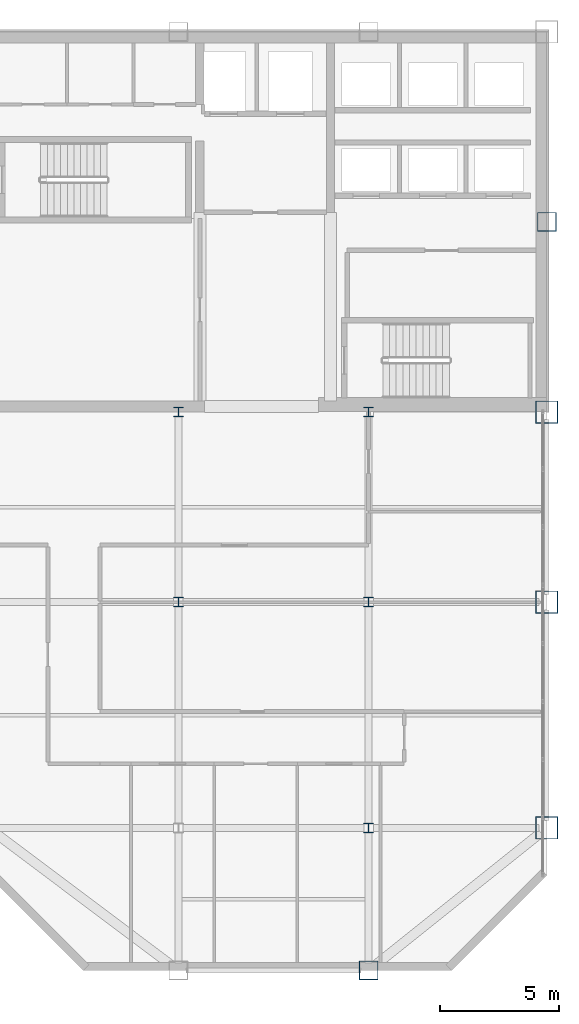
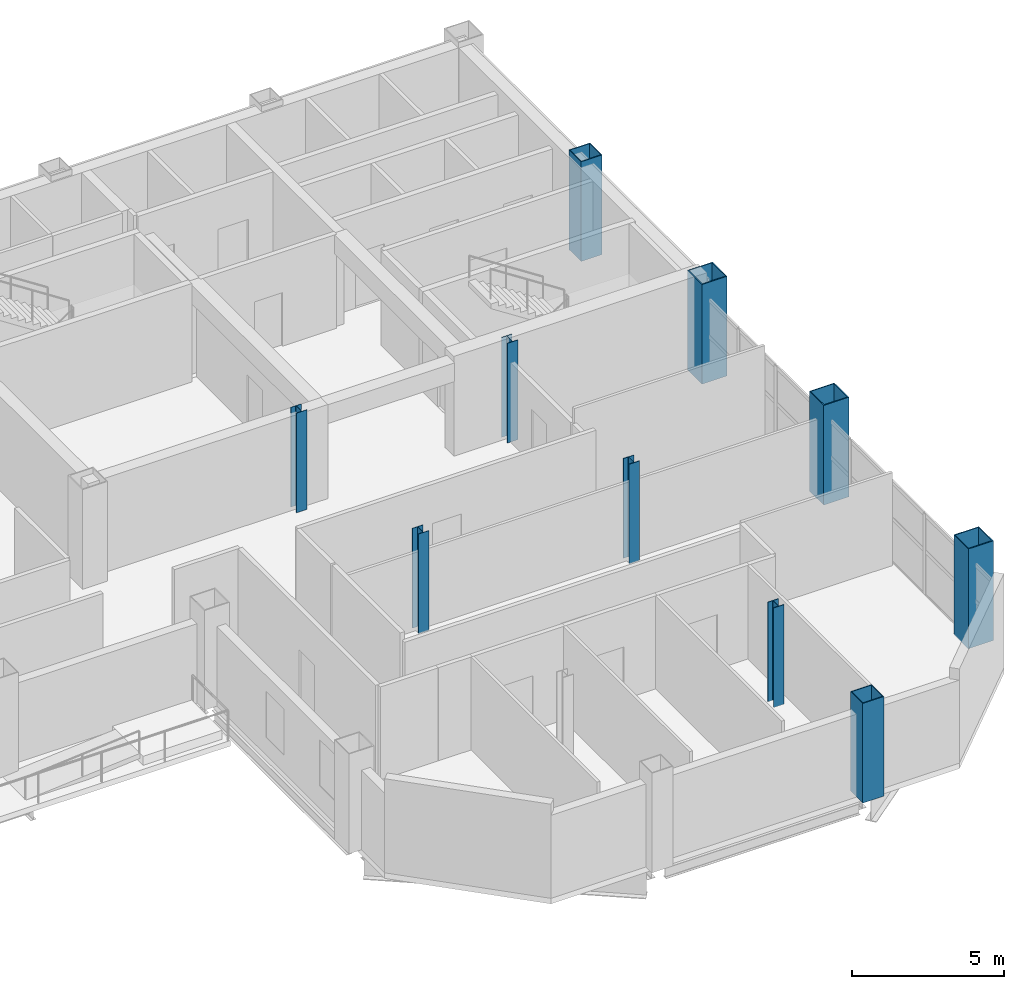
# One storey, part 2 of 12: 10 columns.
"""IFC4 building model written with IfcOpenShell, lengths in metres."""

import ifcopenshell
import ifcopenshell.guid

model = None  # the IFC model being written
_history = None  # IfcOwnerHistory: only IFC2X3 demands one
_inside = {}  # id of a spatial element -> (the spatial element, [elements in it])
_under = {}  # id of a project, library or spatial element -> (it, [spatial elements below it])
_declared = {}  # id of a project -> (the project, [libraries it declares])
_typed = {}  # id of a type object -> (the type object, [elements of that type])
_made_of = {}  # id of a material, layer set ... -> (it, [elements and type objects made of it])


def new_model(schema):
    """Start an empty IFC model of exactly this schema.

    Asked for "IFC4X3", IfcOpenShell would pick the latest addendum, in which some entities
    have other attributes; the version numbers below select the first issue.
    IFC2X3 requires an IfcOwnerHistory on every rooted entity: one is made here for all.
    """
    global model, _history
    if schema == "IFC4X3":
        model = ifcopenshell.file(schema_version=(4, 3, 0, 0))
    else:
        model = ifcopenshell.file(schema=schema)
    _inside.clear()
    _under.clear()
    _declared.clear()
    _typed.clear()
    _made_of.clear()
    _history = None
    if model.schema == "IFC2X3":
        org = make("IfcOrganization", Name="unknown")
        user = make(
            "IfcPersonAndOrganization",
            ThePerson=make("IfcPerson", FamilyName="unknown"),
            TheOrganization=org,
        )
        app = make(
            "IfcApplication",
            ApplicationDeveloper=org,
            Version="unknown",
            ApplicationFullName="unknown",
            ApplicationIdentifier="unknown",
        )
        _history = make(
            "IfcOwnerHistory",
            OwningUser=user,
            OwningApplication=app,
            ChangeAction="ADDED",
            CreationDate=0,
        )
    return model


def make(cls, **values):
    """One entity of the class cls with the attributes given. An attribute that is None is left unset."""
    return model.create_entity(
        cls, **{name: value for name, value in values.items() if value is not None}
    )


def rooted(cls, **values):
    """An entity with a GlobalId (a new one), such as an element, a storey or a relation."""
    return make(cls, GlobalId=ifcopenshell.guid.new(), OwnerHistory=_history, **values)


def si_unit(unit_type, name, prefix=None):
    """IfcSIUnit, for example si_unit("LENGTHUNIT", "METRE", prefix="MILLI")."""
    return make("IfcSIUnit", UnitType=unit_type, Prefix=prefix, Name=name)


def assignment(units):
    """IfcUnitAssignment: the units of a project."""
    return None if units is None else make("IfcUnitAssignment", Units=units)


def point(xyz):
    """IfcCartesianPoint."""
    return None if xyz is None else make("IfcCartesianPoint", Coordinates=xyz)


def direction(xyz):
    """IfcDirection."""
    return None if xyz is None else make("IfcDirection", DirectionRatios=xyz)


def frame(location, z_axis=None, x_axis=None):
    """IfcAxis2Placement3D, a coordinate frame: its origin and axes. An axis left out is left unset."""
    return make(
        "IfcAxis2Placement3D",
        Location=point(location),
        Axis=direction(z_axis),
        RefDirection=direction(x_axis),
    )


def frame_2d(location, x_axis=None):
    """IfcAxis2Placement2D, a coordinate frame in the plane: its origin and x axis."""
    return make(
        "IfcAxis2Placement2D", Location=point(location), RefDirection=direction(x_axis)
    )


def origin():
    """The frame at (0, 0, 0) with its axes left unset."""
    return frame((0.0, 0.0, 0.0))


def origin_2d():
    """The frame at (0, 0) in the plane with its x axis left unset."""
    return frame_2d((0.0, 0.0))


def place(relative_to, where):
    """IfcLocalPlacement: puts the frame where relative to a parent placement (None: the world)."""
    return make(
        "IfcLocalPlacement", PlacementRelTo=relative_to, RelativePlacement=where
    )


def context(
    kind, dimensions, precision=None, world=None, true_north=None, identifier=None
):
    """IfcGeometricRepresentationContext, for example the 3D "Model" context."""
    return make(
        "IfcGeometricRepresentationContext",
        ContextIdentifier=identifier,
        ContextType=kind,
        CoordinateSpaceDimension=dimensions,
        Precision=precision,
        WorldCoordinateSystem=world,
        TrueNorth=true_north,
    )


def subcontext(parent, identifier, kind, view, scale=None):
    """IfcGeometricRepresentationSubContext, for example "Body" below "Model"."""
    return make(
        "IfcGeometricRepresentationSubContext",
        ContextIdentifier=identifier,
        ContextType=kind,
        ParentContext=parent,
        TargetScale=scale,
        TargetView=view,
    )


def project(units=None, contexts=None):
    """IfcProject with its units and contexts."""
    return rooted(
        "IfcProject",
        Name="project",
        RepresentationContexts=contexts,
        UnitsInContext=assignment(units),
    )


def spatial(cls, under=None, at=None, **own):
    """A site, building, storey or space (cls), placed at a placement, below another one or the project."""
    s = rooted(cls, ObjectPlacement=at, **own)
    if under is not None:
        _under.setdefault(under.id(), (under, []))[1].append(s)
    return s


def profile(cls, at=None, kind="AREA", **sizes):
    """A parametric profile (cls). Its sizes go by their IFC names, for example OverallWidth=200.0."""
    return make(cls, ProfileType=kind, Position=at, **sizes)


def hollow_rectangle(**sizes):
    """IfcRectangleHollowProfileDef."""
    return profile("IfcRectangleHollowProfileDef", **sizes)


def i_section(**sizes):
    """IfcIShapeProfileDef."""
    return profile("IfcIShapeProfileDef", **sizes)


def extrude(swept, where, along, depth):
    """IfcExtrudedAreaSolid: the profile swept, set in the frame where, extruded along a direction by depth."""
    return make(
        "IfcExtrudedAreaSolid",
        SweptArea=swept,
        Position=where,
        ExtrudedDirection=direction(along),
        Depth=depth,
    )


def shape(context_of_items, identifier, shape_type, items):
    """IfcShapeRepresentation: the items that make up one representation, for example the "Body"."""
    return make(
        "IfcShapeRepresentation",
        ContextOfItems=context_of_items,
        RepresentationIdentifier=identifier,
        RepresentationType=shape_type,
        Items=items,
    )


def material(Name=None, Category=None):
    """IfcMaterial."""
    return make("IfcMaterial", Name=Name, Category=Category)


def material_profile(
    of_material, cross_section, Name=None, Category=None, Priority=None
):
    """IfcMaterialProfile: a cross section and its material."""
    return make(
        "IfcMaterialProfile",
        Name=Name,
        Material=of_material,
        Profile=cross_section,
        Priority=Priority,
        Category=Category,
    )


def profile_set(profiles, Name=None, composite=None):
    """IfcMaterialProfileSet."""
    return make(
        "IfcMaterialProfileSet",
        Name=Name,
        MaterialProfiles=profiles,
        CompositeProfile=composite,
    )


def made_of(thing, what):
    """Note that an element or type object is made of a material, layer set ...; save() writes the relation."""
    if what is not None:
        _made_of.setdefault(what.id(), (what, []))[1].append(thing)
    return thing


def type_object(cls, material=None, **own):
    """A type object (cls), such as IfcWallType, which elements share."""
    return made_of(rooted(cls, **own), material)


def element(
    cls,
    number,
    at=None,
    inside=None,
    cuts=None,
    type_object=None,
    material=None,
    context=None,
    identifier="Body",
    shape_type=None,
    held_by="IfcProductDefinitionShape",
    body=None,
    shapes=None,
    **own,
):
    """One element of the class cls, such as IfcWall. Its Tag is "e" and its number.

    at: its placement. inside: the storey or other place that contains it. cuts: it is an
    opening in that element (IfcRelVoidsElement). A single representation is given by context,
    identifier, shape_type and body (its items); several are given by shapes. held_by: the class
    of the entity that holds the representations. save() writes the other relations.
    """
    e = rooted(cls, Tag="e%d" % number, ObjectPlacement=at, **own)
    if body is not None:
        shapes = [shape(context, identifier, shape_type, body)]
    if shapes is not None:
        e.Representation = make(held_by, Representations=shapes)
    if inside is not None:
        _inside.setdefault(inside.id(), (inside, []))[1].append(e)
    if cuts is not None:
        rooted(
            "IfcRelVoidsElement", RelatingBuildingElement=cuts, RelatedOpeningElement=e
        )
    if type_object is not None:
        _typed.setdefault(type_object.id(), (type_object, []))[1].append(e)
    return made_of(e, material)


def aggregate(whole, parts):
    """IfcRelAggregates: a whole, such as a stair, and the parts it consists of."""
    return rooted("IfcRelAggregates", RelatingObject=whole, RelatedObjects=parts)


def save(model, path):
    """Write the relations noted so far, then the file.

    IfcRelAggregates (storeys below a building ...), IfcRelContainedInSpatialStructure (elements
    in a storey), IfcRelDefinesByType, IfcRelAssociatesMaterial and IfcRelDeclares: one each for
    every whole, place, type object, material and project.
    """
    for whole, parts in _under.values():
        aggregate(whole, parts)
    for where, things in _inside.values():
        rooted(
            "IfcRelContainedInSpatialStructure",
            RelatedElements=things,
            RelatingStructure=where,
        )
    for kind, things in _typed.values():
        rooted("IfcRelDefinesByType", RelatedObjects=things, RelatingType=kind)
    for what, things in _made_of.values():
        rooted("IfcRelAssociatesMaterial", RelatedObjects=things, RelatingMaterial=what)
    for by, libraries in _declared.values():
        rooted("IfcRelDeclares", RelatingContext=by, RelatedDefinitions=libraries)
    model.write(path)


model = new_model("IFC4")

# Units and contexts
model_context = context("Model", 3, precision=1e-05, world=origin(), true_north=direction((0.0, 1.0)))
body_context = subcontext(model_context, "Body", "Model", "MODEL_VIEW")
ifc_project = project(units=[si_unit("LENGTHUNIT", "METRE"), si_unit("AREAUNIT", "SQUARE_METRE"), si_unit("VOLUMEUNIT", "CUBIC_METRE"), si_unit("PLANEANGLEUNIT", "RADIAN"), si_unit("MASSUNIT", "GRAM", prefix="KILO")], contexts=[model_context])

# Site, building, storey
site_placement = place(None, origin())
site = spatial("IfcSite", under=ifc_project, at=site_placement, CompositionType="ELEMENT")
building_placement = place(site_placement, origin())
building = spatial("IfcBuilding", under=site, at=building_placement, Name="Qianrong Seaharbour Tower", CompositionType="ELEMENT")
storey_placement = place(building_placement, frame((0.0, 0.0, 205.800048828125)))
storey = spatial("IfcBuildingStorey", under=building, at=storey_placement, Name="L49", CompositionType="ELEMENT", Elevation=205.800048828125)

# Columns
ifc_material = material(Name="Structural steel SN490B", Category="steel")
ifc_material_profile_1 = material_profile(ifc_material, hollow_rectangle(XDim=0.949951171875, YDim=0.949951171875, WallThickness=0.035888671875, at=origin_2d()), Name="BOX950x950x36")
ifc_profile_set_1 = profile_set([ifc_material_profile_1], Name="Structural steel SN490B")
column_type_1 = type_object("IfcColumnType", Name="COL-CFT-950", PredefinedType="COLUMN", material=ifc_profile_set_1)
for number, where, z_axis, x_axis, name in (
    (1, (64.0, 18.5, 0.0), (0.0, 0.0, 1.0), (1.0, 0.0, 0.0), "L49 Column MC-4 at G9/GD"),
    (2, (64.0, 28.0, 0.0), (0.0, 0.0, 1.0), (1.0, 0.0, 0.0), "L49 Column MC-4 at G9/GE"),
    (3, (64.0, 36.0, 0.0), (0.0, 0.0, 1.0), (1.0, 0.0, 0.0), "L49 Column MC-4 at G9/GF"),
):
    element("IfcColumn", number, at=place(storey_placement, frame(where, z_axis=z_axis, x_axis=x_axis)), inside=storey, type_object=column_type_1, Name=name, PredefinedType="COLUMN", context=body_context, shape_type="SweptSolid", body=[
        extrude(hollow_rectangle(XDim=0.949951171875, YDim=0.949951171875, WallThickness=0.035888671875, at=origin_2d()), origin(), (0.0, 0.0, 1.0), 4.0),
    ])
ifc_material_profile_2 = material_profile(ifc_material, i_section(OverallWidth=0.39990234375, OverallDepth=0.39990234375, WebThickness=0.012939453125, FlangeThickness=0.02099609375, FilletRadius=0.02197265625, at=origin_2d()), Name="H400x400x13x21")
ifc_profile_set_2 = profile_set([ifc_material_profile_2], Name="Structural steel SN490B")
column_type_2 = type_object("IfcColumnType", Name="COL-INT-H400", PredefinedType="COLUMN", material=ifc_profile_set_2)
for number, where, z_axis, x_axis, name in (
    (4, (48.5, 28.0, 0.0), (0.0, 0.0, 1.0), (1.0, 0.0, 0.0), "L49 Column IC-3 at G7/GE"),
    (5, (48.5, 36.0, 0.0), (0.0, 0.0, 1.0), (1.0, 0.0, 0.0), "L49 Column IC-3 at G7/GF"),
    (6, (56.5, 18.5, 0.0), (0.0, 0.0, 1.0), (1.0, 0.0, 0.0), "L49 Column IC-3 at G8/GD"),
    (7, (56.5, 28.0, 0.0), (0.0, 0.0, 1.0), (1.0, 0.0, 0.0), "L49 Column IC-3 at G8/GE"),
    (8, (56.5, 36.0, 0.0), (0.0, 0.0, 1.0), (1.0, 0.0, 0.0), "L49 Column IC-3 at G8/GF"),
):
    element("IfcColumn", number, at=place(storey_placement, frame(where, z_axis=z_axis, x_axis=x_axis)), inside=storey, type_object=column_type_2, Name=name, PredefinedType="COLUMN", context=body_context, shape_type="SweptSolid", body=[
        extrude(i_section(OverallWidth=0.39990234375, OverallDepth=0.39990234375, WebThickness=0.012939453125, FlangeThickness=0.02099609375, FilletRadius=0.02197265625, at=origin_2d()), origin(), (0.0, 0.0, 1.0), 4.0),
    ])
ifc_material_profile_3 = material_profile(ifc_material, hollow_rectangle(XDim=0.800048828125, YDim=0.800048828125, WallThickness=0.031982421875, at=origin_2d()), Name="BOX800x800x32")
ifc_profile_set_3 = profile_set([ifc_material_profile_3], Name="Structural steel SN490B")
column_type_3 = type_object("IfcColumnType", Name="COL-PER-800", PredefinedType="COLUMN", material=ifc_profile_set_3)
for number, where, z_axis, x_axis, name in (
    (9, (56.5, 12.5, 0.0), (0.0, 0.0, 1.0), (1.0, 0.0, 0.0), "L49 Column PC-3 at G8/GC"),
    (10, (64.0, 44.0, 0.0), (0.0, 0.0, 1.0), (1.0, 0.0, 0.0), "L49 Column PC-3 at G9/GG"),
):
    element("IfcColumn", number, at=place(storey_placement, frame(where, z_axis=z_axis, x_axis=x_axis)), inside=storey, type_object=column_type_3, Name=name, PredefinedType="COLUMN", context=body_context, shape_type="SweptSolid", body=[
        extrude(hollow_rectangle(XDim=0.800048828125, YDim=0.800048828125, WallThickness=0.031982421875, at=origin_2d()), origin(), (0.0, 0.0, 1.0), 4.0),
    ])

save(model, "model.ifc")
